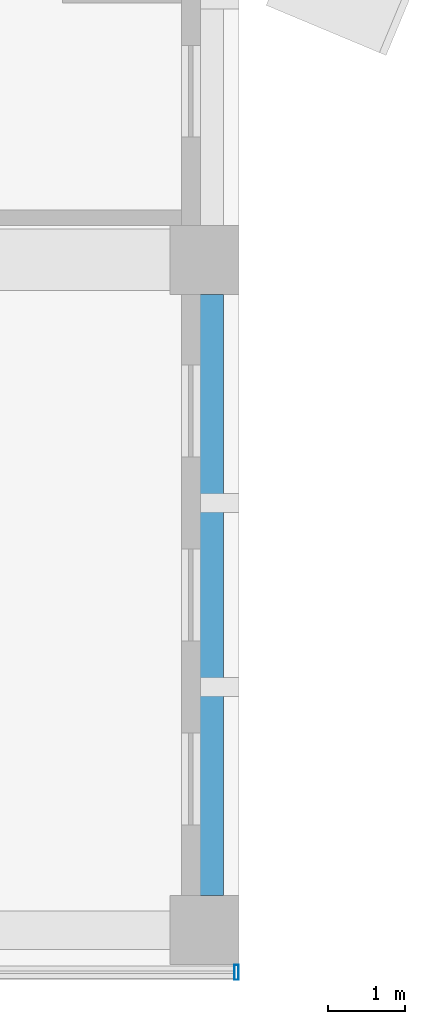
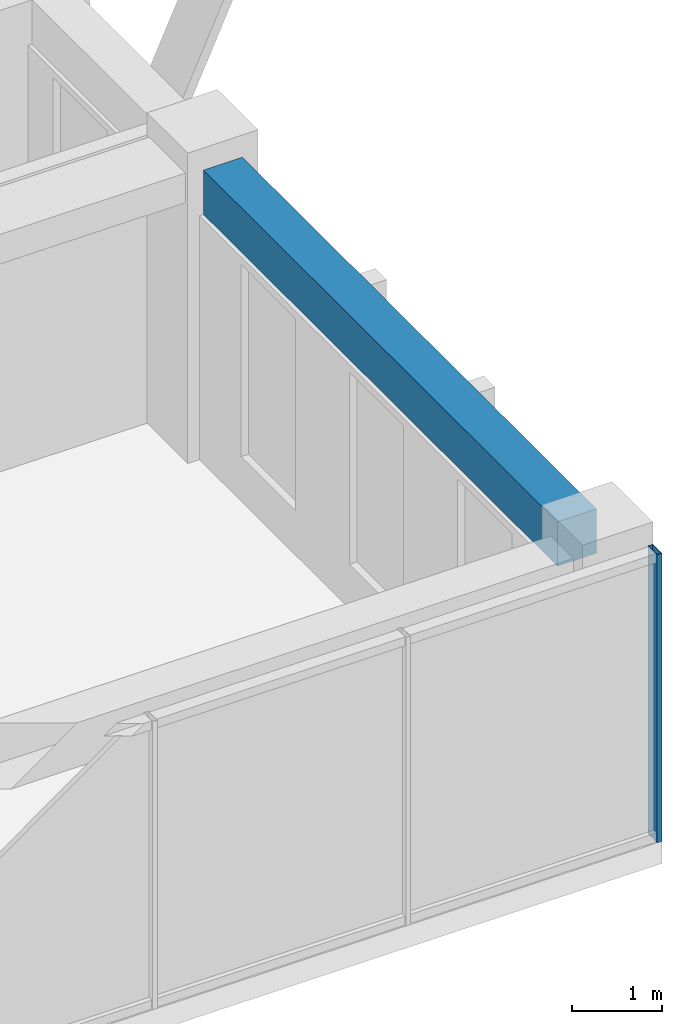
# One storey, part 14 of 36: 1 beam, 1 member, 1 element without a shape of its own.
"""IFC4 building model written with IfcOpenShell, lengths in metres."""

from ifc_helpers import new_model, si_unit, direction, frame, origin, origin_2d, place, context, subcontext, project, spatial, rectangle, hollow_rectangle, extrude, material, layer, layer_set, material_profile, profile_set, type_object, element, aggregate, save


model = new_model("IFC4")

# Units and contexts
model_context = context("Model", 3, precision=1e-05, world=origin(), true_north=direction((0.0, 1.0)))
body_context = subcontext(model_context, "Body", "Model", "MODEL_VIEW")
ifc_project = project(units=[si_unit("LENGTHUNIT", "METRE"), si_unit("AREAUNIT", "SQUARE_METRE"), si_unit("VOLUMEUNIT", "CUBIC_METRE"), si_unit("PLANEANGLEUNIT", "RADIAN"), si_unit("MASSUNIT", "GRAM", prefix="KILO")], contexts=[model_context])

# Site, building, storey
site_placement = place(None, origin())
site = spatial("IfcSite", under=ifc_project, at=site_placement, CompositionType="ELEMENT")
building_placement = place(site_placement, origin())
building = spatial("IfcBuilding", under=site, at=building_placement, Name="Nzadi Deep Aquarium and Research Tower", CompositionType="ELEMENT")
storey_placement = place(building_placement, frame((0.0, 0.0, 44.5)))
storey = spatial("IfcBuildingStorey", under=building, at=storey_placement, Name="L08", CompositionType="ELEMENT", Elevation=44.5)

# Curtain wall, member
ifc_material_1 = material(Name="Aluminium unitised frame", Category="aluminium")
ifc_layer = layer(ifc_material_1, 0.199951171875)
ifc_layer_set = layer_set([ifc_layer], Name="Aluminium unitised frame")
curtain_wall_type = type_object("IfcCurtainWallType", Name="Curtain wall Unitised 200", PredefinedType="NOTDEFINED", material=ifc_layer_set)
curtain_wall_placement = place(storey_placement, origin())
curtain_wall = element("IfcCurtainWall", 1, at=curtain_wall_placement, inside=storey, type_object=curtain_wall_type, Name="Unitised curtain wall blade A south L08", PredefinedType="NOTDEFINED")
ifc_material_2 = material(Name="Aluminium unitised frame", Category="aluminium")
ifc_material_profile_1 = material_profile(ifc_material_2, hollow_rectangle(XDim=0.199951171875, YDim=0.06005859375, WallThickness=0.0048828125, at=origin_2d()))
ifc_profile_set_1 = profile_set([ifc_material_profile_1], Name="Aluminium unitised frame")
member_type = type_object("IfcMemberType", Name="Mullion 60x200 Unitised", PredefinedType="MULLION", material=ifc_profile_set_1)
member_placement = place(storey_placement, frame((48.419921875, -0.10009765625, 0.0), z_axis=(0.0, 0.0, 1.0), x_axis=(0.0, 1.0, 0.0)))
member = element("IfcMember", 2, at=member_placement, type_object=member_type, Name="CW022 mullion 16", PredefinedType="MULLION", context=body_context, shape_type="SweptSolid", body=[
    extrude(hollow_rectangle(XDim=0.199951171875, YDim=0.06005859375, WallThickness=0.0048828125, at=origin_2d()), origin(), (0.0, 0.0, 1.0), 3.89990234375),
])
aggregate(curtain_wall, [member])

# Beam
ifc_material_3 = material(Name="Concrete C35/45", Category="concrete")
ifc_material_profile_2 = material_profile(ifc_material_3, rectangle(XDim=0.5, YDim=0.60009765625, at=origin_2d()))
ifc_profile_set_2 = profile_set([ifc_material_profile_2], Name="Concrete C35/45")
beam_type = type_object("IfcBeamType", Name="RC 500x600", PredefinedType="BEAM", material=ifc_profile_set_2)
beam_placement = place(storey_placement, frame((48.0, 0.89990234375, 3.60009765625), z_axis=(0.0, 1.0, 0.0), x_axis=(-1.0, 0.0, 0.0)))
element("IfcBeam", 3, at=beam_placement, inside=storey, type_object=beam_type, Name="B-Z1-L08-CF-1-1", PredefinedType="BEAM", context=body_context, shape_type="SweptSolid", body=[
    extrude(rectangle(XDim=0.5, YDim=0.60009765625, at=origin_2d()), origin(), (0.0, 0.0, 1.0), 7.85009765625),
])

save(model, "model.ifc")
